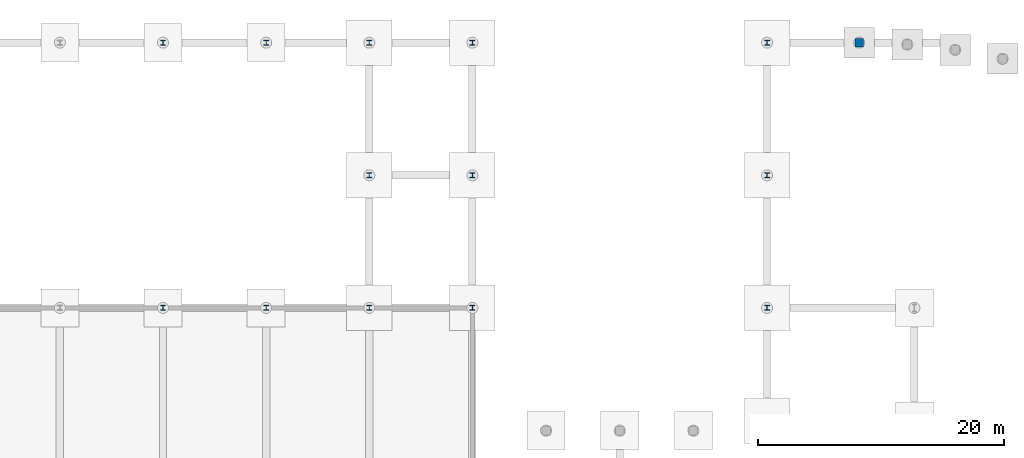
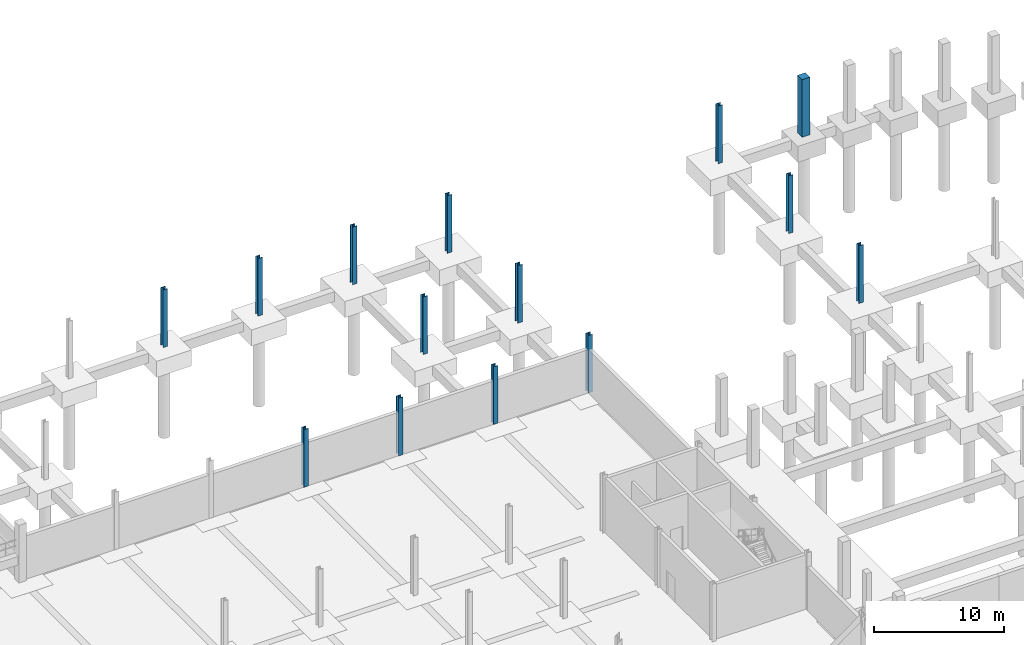
# One storey, part 15 of 36: 14 columns.
"""IFC4 building model written with IfcOpenShell, lengths in metres."""

from ifc_helpers import new_model, si_unit, direction, frame, origin, origin_2d, place, context, subcontext, project, spatial, rectangle, i_section, extrude, material, material_profile, profile_set, type_object, element, save


model = new_model("IFC4")

# Units and contexts
model_context = context("Model", 3, precision=1e-05, world=origin(), true_north=direction((0.0, 1.0)))
body_context = subcontext(model_context, "Body", "Model", "MODEL_VIEW")
ifc_project = project(units=[si_unit("LENGTHUNIT", "METRE"), si_unit("AREAUNIT", "SQUARE_METRE"), si_unit("VOLUMEUNIT", "CUBIC_METRE"), si_unit("PLANEANGLEUNIT", "RADIAN"), si_unit("MASSUNIT", "GRAM", prefix="KILO"), si_unit("THERMODYNAMICTEMPERATUREUNIT", "KELVIN"), si_unit("POWERUNIT", "WATT")], contexts=[model_context])

# Site, building, storey
site_placement = place(None, origin())
site = spatial("IfcSite", under=ifc_project, at=site_placement, CompositionType="ELEMENT")
building_placement = place(site_placement, origin())
building = spatial("IfcBuilding", under=site, at=building_placement, Name="Tembeka Court Mobility Hub", CompositionType="ELEMENT")
storey_placement = place(building_placement, frame((0.0, 0.0, -5.39990234375)))
storey = spatial("IfcBuildingStorey", under=building, at=storey_placement, Name="B1", CompositionType="ELEMENT", Elevation=-5.39990234375)

# Columns
ifc_material_1 = material(Name="Steel S355", Category="steel")
ifc_material_profile_1 = material_profile(ifc_material_1, i_section(OverallWidth=0.39892578125, OverallDepth=0.39404296875, WebThickness=0.022705078125, FlangeThickness=0.03662109375, FilletRadius=0.01513671875, at=origin_2d()), Name="UKC 356x406x287")
ifc_profile_set_1 = profile_set([ifc_material_profile_1], Name="Steel S355")
column_type_1 = type_object("IfcColumnType", Name="COL-C01", PredefinedType="COLUMN", material=ifc_profile_set_1)
for number, where, z_axis, x_axis, name in (
    (1, (67.199951171875, 97.199951171875, 0.0), (0.0, 0.0, 1.0), (1.0, 0.0, 0.0), "Column C01 (B1-101)"),
    (2, (67.199951171875, 118.800048828125, 0.0), (0.0, 0.0, 1.0), (1.0, 0.0, 0.0), "Column C01 (B1-102)"),
    (3, (75.60009765625, 97.199951171875, 0.0), (0.0, 0.0, 1.0), (1.0, 0.0, 0.0), "Column C01 (B1-111)"),
    (4, (75.60009765625, 118.800048828125, 0.0), (0.0, 0.0, 1.0), (1.0, 0.0, 0.0), "Column C01 (B1-112)"),
    (5, (84.0, 97.199951171875, 0.0), (0.0, 0.0, 1.0), (1.0, 0.0, 0.0), "Column C01 (B1-122)"),
    (6, (84.0, 108.0, 0.0), (0.0, 0.0, 1.0), (1.0, 0.0, 0.0), "Column C01 (B1-123)"),
    (7, (84.0, 118.800048828125, 0.0), (0.0, 0.0, 1.0), (1.0, 0.0, 0.0), "Column C01 (B1-124)"),
    (8, (92.39990234375, 97.199951171875, 0.0), (0.0, 0.0, 1.0), (1.0, 0.0, 0.0), "Column C01 (B1-134)"),
    (9, (92.39990234375, 108.0, 0.0), (0.0, 0.0, 1.0), (1.0, 0.0, 0.0), "Column C01 (B1-135)"),
    (10, (92.39990234375, 118.800048828125, 0.0), (0.0, 0.0, 1.0), (1.0, 0.0, 0.0), "Column C01 (B1-136)"),
    (11, (116.39990234375, 97.199951171875, 0.0), (0.0, 0.0, 1.0), (1.0, 0.0, 0.0), "Column C01 (B1-166)"),
    (12, (116.39990234375, 108.0, 0.0), (0.0, 0.0, 1.0), (1.0, 0.0, 0.0), "Column C01 (B1-167)"),
    (13, (116.39990234375, 118.800048828125, 0.0), (0.0, 0.0, 1.0), (1.0, 0.0, 0.0), "Column C01 (B1-168)"),
):
    element("IfcColumn", number, at=place(storey_placement, frame(where, z_axis=z_axis, x_axis=x_axis)), inside=storey, type_object=column_type_1, Name=name, PredefinedType="COLUMN", context=body_context, shape_type="SweptSolid", body=[
        extrude(i_section(OverallWidth=0.39892578125, OverallDepth=0.39404296875, WebThickness=0.022705078125, FlangeThickness=0.03662109375, FilletRadius=0.01513671875, at=origin_2d()), origin(), (0.0, 0.0, 1.0), 5.39990234375),
    ])
ifc_material_2 = material(Name="Concrete C40/50", Category="concrete")
ifc_material_profile_2 = material_profile(ifc_material_2, rectangle(XDim=0.699951171875, YDim=0.699951171875, at=origin_2d()), Name="RC-COL 700x700")
ifc_profile_set_2 = profile_set([ifc_material_profile_2], Name="Concrete C40/50")
column_type_2 = type_object("IfcColumnType", Name="COL-RC01", PredefinedType="COLUMN", material=ifc_profile_set_2)
column_placement = place(storey_placement, frame((123.89990234375, 118.800048828125, 0.0), z_axis=(0.0, 0.0, 1.0), x_axis=(1.0, 0.0, 0.0)))
element("IfcColumn", 14, at=column_placement, inside=storey, type_object=column_type_2, Name="Column RC01 (B1-170)", PredefinedType="COLUMN", context=body_context, shape_type="SweptSolid", body=[
    extrude(rectangle(XDim=0.699951171875, YDim=0.699951171875, at=origin_2d()), origin(), (0.0, 0.0, 1.0), 5.39990234375),
])

save(model, "model.ifc")
